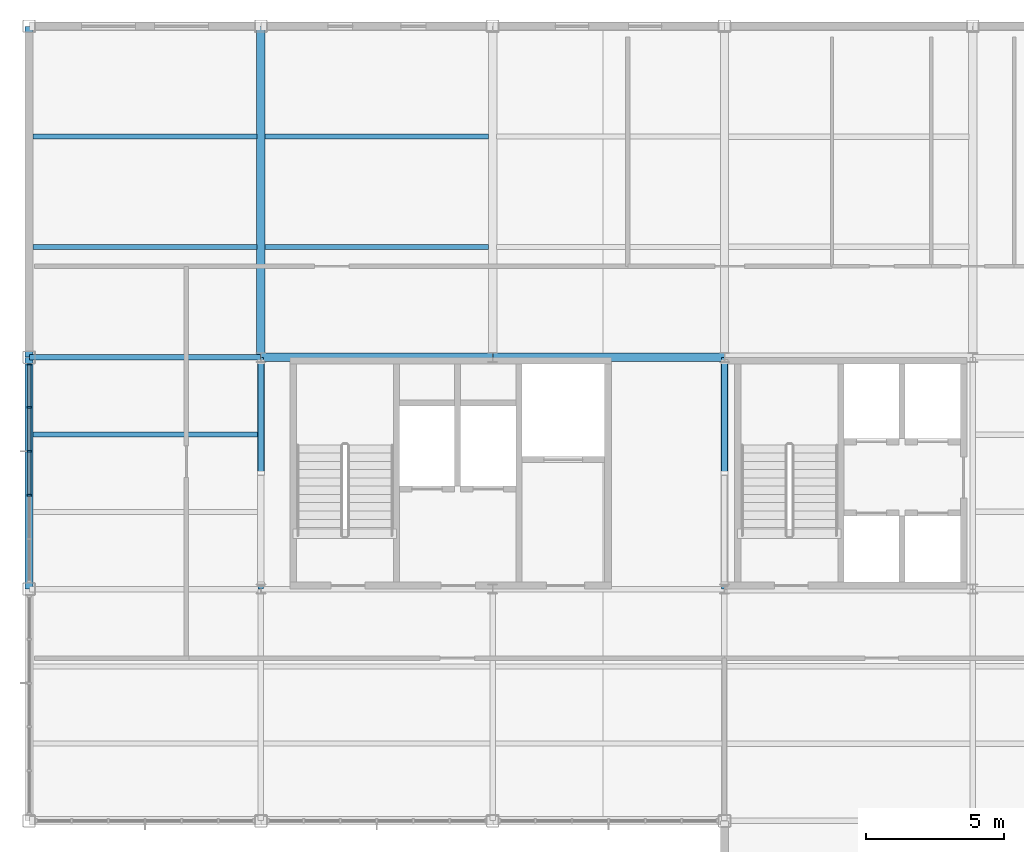
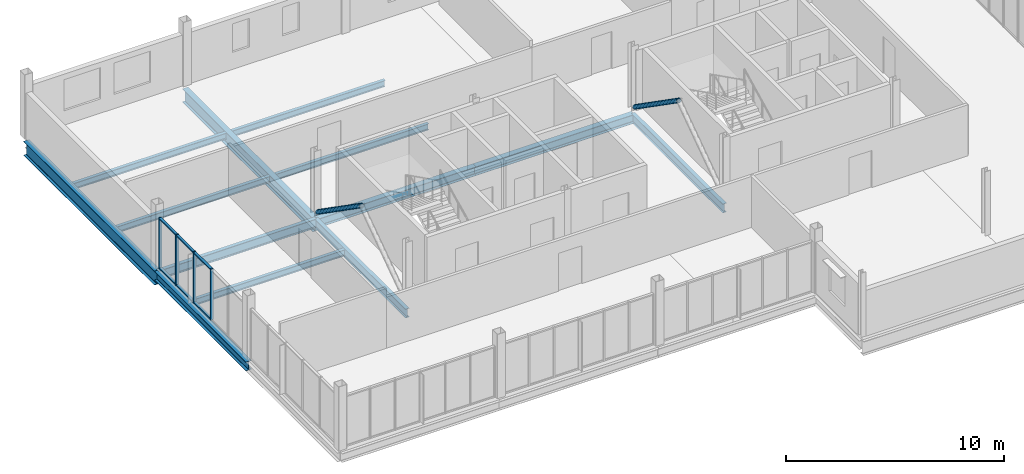
# One storey, part 6 of 16: 13 beams, 12 members, 1 element without a shape of its own.
"""IFC4 building model written with IfcOpenShell, lengths in metres."""

from ifc_helpers import new_model, si_unit, direction, frame, origin, origin_2d, place, context, subcontext, project, spatial, rectangle, hollow_circle, i_section, extrude, material, layer, layer_set, material_profile, profile_set, type_object, element, aggregate, save


model = new_model("IFC4")

# Units and contexts
model_context = context("Model", 3, precision=1e-05, world=origin(), true_north=direction((0.0, 1.0)))
body_context = subcontext(model_context, "Body", "Model", "MODEL_VIEW")
ifc_project = project(units=[si_unit("LENGTHUNIT", "METRE"), si_unit("AREAUNIT", "SQUARE_METRE"), si_unit("VOLUMEUNIT", "CUBIC_METRE"), si_unit("PLANEANGLEUNIT", "RADIAN"), si_unit("MASSUNIT", "GRAM", prefix="KILO")], contexts=[model_context])

# Site, building, storey
site_placement = place(None, origin())
site = spatial("IfcSite", under=ifc_project, at=site_placement, CompositionType="ELEMENT")
building_placement = place(site_placement, origin())
building = spatial("IfcBuilding", under=site, at=building_placement, Name="Yukiwa Park Conservatory and Herbarium", CompositionType="ELEMENT")
storey_placement = place(building_placement, frame((0.0, 0.0, 43.199951171875)))
storey = spatial("IfcBuildingStorey", under=building, at=storey_placement, Name="L11", CompositionType="ELEMENT", Elevation=43.199951171875)

# Beams
ifc_material_1 = material(Name="Steel Q355D", Category="steel")
ifc_material_profile_1 = material_profile(ifc_material_1, i_section(OverallWidth=0.199951171875, OverallDepth=0.5, WebThickness=0.010009765625, FlangeThickness=0.01611328125, FilletRadius=0.02001953125, at=origin_2d()), Name="HN 500x200x10x16")
ifc_profile_set_1 = profile_set([ifc_material_profile_1], Name="Steel Q355D")
beam_type_1 = type_object("IfcBeamType", Name="BM-GRD-HN500", PredefinedType="BEAM", material=ifc_profile_set_1)
for number, where, z_axis, x_axis, name in (
    (1, (124.805908203125, 103.199951171875, -0.508056640625), (1.0, 0.0, 0.0), (0.0, 1.0, 0.0), "L11 grid beam X-13"),
    (2, (133.199951171875, 94.805908203125, -0.508056640625), (0.0, 1.0, 0.0), (-1.0, 0.0, 0.0), "L11 grid girder Y-27"),
    (3, (150.0, 94.805908203125, -0.508056640625), (0.0, 1.0, 0.0), (-1.0, 0.0, 0.0), "L11 grid girder Y-33"),
):
    element("IfcBeam", number, at=place(storey_placement, frame(where, z_axis=z_axis, x_axis=x_axis)), inside=storey, type_object=beam_type_1, Name=name, PredefinedType="BEAM", context=body_context, shape_type="SweptSolid", body=[
        extrude(i_section(OverallWidth=0.199951171875, OverallDepth=0.5, WebThickness=0.010009765625, FlangeThickness=0.01611328125, FilletRadius=0.02001953125, at=origin_2d()), origin(), (0.0, 0.0, 1.0), 8.38818359375),
    ])
ifc_material_2 = material(Name="Steel Q355D", Category="steel")
ifc_material_profile_2 = material_profile(ifc_material_2, i_section(OverallWidth=0.300048828125, OverallDepth=0.75, WebThickness=0.012939453125, FlangeThickness=0.02392578125, FilletRadius=0.028076171875, at=origin_2d()), Name="HN 750x300x13x24")
ifc_profile_set_2 = profile_set([ifc_material_profile_2], Name="Steel Q355D")
beam_type_2 = type_object("IfcBeamType", Name="BM-GRD-HN750", PredefinedType="BEAM", material=ifc_profile_set_2)
beam_1_placement = place(storey_placement, frame((133.199951171875, 103.2060546875, -0.633056640625), z_axis=(0.0, 1.0, 0.0), x_axis=(-1.0, 0.0, 0.0)))
element("IfcBeam", 4, at=beam_1_placement, inside=storey, type_object=beam_type_2, Name="L11 grid girder Y-28", PredefinedType="BEAM", context=body_context, shape_type="SweptSolid", body=[
    extrude(i_section(OverallWidth=0.300048828125, OverallDepth=0.75, WebThickness=0.012939453125, FlangeThickness=0.02392578125, FilletRadius=0.028076171875, at=origin_2d()), origin(), (0.0, 0.0, 1.0), 11.988037109375),
])
ifc_material_3 = material(Name="Steel Q355D", Category="steel")
ifc_material_profile_3 = material_profile(ifc_material_3, i_section(OverallWidth=0.175048828125, OverallDepth=0.35009765625, WebThickness=0.007080078125, FlangeThickness=0.010986328125, FilletRadius=0.013916015625, at=origin_2d()), Name="HN 350x175x7x11")
ifc_profile_set_3 = profile_set([ifc_material_profile_3], Name="Steel Q355D")
beam_type_3 = type_object("IfcBeamType", Name="BM-JST-HN350", PredefinedType="JOIST", material=ifc_profile_set_3)
beam_2_placement = place(storey_placement, frame((124.946044921875, 100.39990234375, -0.432861328125), z_axis=(1.0, 0.0, 0.0), x_axis=(0.0, 1.0, 0.0)))
element("IfcBeam", 5, at=beam_2_placement, inside=storey, type_object=beam_type_3, Name="L11 composite floor joist 4", PredefinedType="JOIST", context=body_context, shape_type="SweptSolid", body=[
    extrude(i_section(OverallWidth=0.175048828125, OverallDepth=0.35009765625, WebThickness=0.007080078125, FlangeThickness=0.010986328125, FilletRadius=0.013916015625, at=origin_2d()), origin(), (0.0, 0.0, 1.0), 8.157958984375),
])
for number, where, z_axis, x_axis, name in (
    (6, (124.946044921875, 107.199951171875, -0.432861328125), (1.0, 0.0, 0.0), (0.0, 1.0, 0.0), "L11 composite floor joist 5"),
    (7, (124.946044921875, 111.199951171875, -0.432861328125), (1.0, 0.0, 0.0), (0.0, 1.0, 0.0), "L11 composite floor joist 6"),
):
    element("IfcBeam", number, at=place(storey_placement, frame(where, z_axis=z_axis, x_axis=x_axis)), inside=storey, type_object=beam_type_3, Name=name, PredefinedType="JOIST", context=body_context, shape_type="SweptSolid", body=[
        extrude(i_section(OverallWidth=0.175048828125, OverallDepth=0.35009765625, WebThickness=0.007080078125, FlangeThickness=0.010986328125, FilletRadius=0.013916015625, at=origin_2d()), origin(), (0.0, 0.0, 1.0), 8.10791015625),
    ])
for number, where, z_axis, x_axis, name in (
    (8, (133.345947265625, 107.199951171875, -0.432861328125), (1.0, 0.0, 0.0), (0.0, 1.0, 0.0), "L11 composite floor joist 9"),
    (9, (133.345947265625, 111.199951171875, -0.432861328125), (1.0, 0.0, 0.0), (0.0, 1.0, 0.0), "L11 composite floor joist 10"),
):
    element("IfcBeam", number, at=place(storey_placement, frame(where, z_axis=z_axis, x_axis=x_axis)), inside=storey, type_object=beam_type_3, Name=name, PredefinedType="JOIST", context=body_context, shape_type="SweptSolid", body=[
        extrude(i_section(OverallWidth=0.175048828125, OverallDepth=0.35009765625, WebThickness=0.007080078125, FlangeThickness=0.010986328125, FilletRadius=0.013916015625, at=origin_2d()), origin(), (0.0, 0.0, 1.0), 8.108154296875),
    ])
ifc_material_4 = material(Name="Steel Q355D", Category="steel")
ifc_material_profile_4 = material_profile(ifc_material_4, i_section(OverallWidth=0.300048828125, OverallDepth=0.5, WebThickness=0.010986328125, FlangeThickness=0.01806640625, FilletRadius=0.02392578125, at=origin_2d()), Name="HM 500x300x11x18")
ifc_profile_set_4 = profile_set([ifc_material_profile_4], Name="Steel Q355D")
beam_type_4 = type_object("IfcBeamType", Name="BM-SPN-HN500", PredefinedType="SPANDREL", material=ifc_profile_set_4)
for number, where, z_axis, x_axis, name in (
    (10, (133.2060546875, 103.199951171875, -0.508056640625), (1.0, 0.0, 0.0), (0.0, 1.0, 0.0), "L11 spandrel beam X-14"),
    (11, (141.60595703125, 103.199951171875, -0.508056640625), (1.0, 0.0, 0.0), (0.0, 1.0, 0.0), "L11 spandrel beam X-15"),
):
    element("IfcBeam", number, at=place(storey_placement, frame(where, z_axis=z_axis, x_axis=x_axis)), inside=storey, type_object=beam_type_4, Name=name, PredefinedType="SPANDREL", context=body_context, shape_type="SweptSolid", body=[
        extrude(i_section(OverallWidth=0.300048828125, OverallDepth=0.5, WebThickness=0.010986328125, FlangeThickness=0.01806640625, FilletRadius=0.02392578125, at=origin_2d()), origin(), (0.0, 0.0, 1.0), 8.387939453125),
    ])
beam_3_placement = place(storey_placement, frame((124.800048828125, 94.805908203125, -0.508056640625), z_axis=(0.0, 1.0, 0.0), x_axis=(-1.0, 0.0, 0.0)))
element("IfcBeam", 12, at=beam_3_placement, inside=storey, type_object=beam_type_4, Name="L11 spandrel girder Y-24", PredefinedType="SPANDREL", context=body_context, shape_type="SweptSolid", body=[
    extrude(i_section(OverallWidth=0.300048828125, OverallDepth=0.5, WebThickness=0.010986328125, FlangeThickness=0.01806640625, FilletRadius=0.02392578125, at=origin_2d()), origin(), (0.0, 0.0, 1.0), 8.38818359375),
])
ifc_material_5 = material(Name="Steel Q355D", Category="steel")
ifc_material_profile_5 = material_profile(ifc_material_5, i_section(OverallWidth=0.300048828125, OverallDepth=0.7919921875, WebThickness=0.013916015625, FlangeThickness=0.02197265625, FilletRadius=0.028076171875, at=origin_2d()), Name="HN 792x300x14x22")
ifc_profile_set_5 = profile_set([ifc_material_profile_5], Name="Steel Q355D")
beam_type_5 = type_object("IfcBeamType", Name="BM-SPN-HN600", PredefinedType="SPANDREL", material=ifc_profile_set_5)
beam_4_placement = place(storey_placement, frame((124.800048828125, 103.2060546875, -0.654052734375), z_axis=(0.0, 1.0, 0.0), x_axis=(-1.0, 0.0, 0.0)))
element("IfcBeam", 13, at=beam_4_placement, inside=storey, type_object=beam_type_5, Name="L11 spandrel girder Y-25", PredefinedType="SPANDREL", context=body_context, shape_type="SweptSolid", body=[
    extrude(i_section(OverallWidth=0.300048828125, OverallDepth=0.7919921875, WebThickness=0.013916015625, FlangeThickness=0.02197265625, FilletRadius=0.028076171875, at=origin_2d()), origin(), (0.0, 0.0, 1.0), 11.988037109375),
])

# Members
ifc_material_6 = material(Name="Steel Q355D", Category="steel")
ifc_material_profile_6 = material_profile(ifc_material_6, hollow_circle(Radius=0.122314453125, WallThickness=0.010009765625, at=origin_2d()), Name="CHS 244.5x10")
ifc_profile_set_6 = profile_set([ifc_material_profile_6], Name="Steel Q355D")
member_type_1 = type_object("IfcMemberType", Name="MB-BR-CHS245", PredefinedType="BRACE", material=ifc_profile_set_6)
for number, where, z_axis, x_axis, name in (
    (14, (133.199951171875, 103.029541015625, 0.168701171875), (0.0, -0.820222935008, 0.572043999083), (1.0, 0.0, 0.0), "L11 concentric chevron brace 58"),
    (15, (150.0, 103.029541015625, 0.168701171875), (0.0, -0.820222935008, 0.572043999083), (1.0, 0.0, 0.0), "L11 concentric chevron brace 60"),
):
    element("IfcMember", number, at=place(storey_placement, frame(where, z_axis=z_axis, x_axis=x_axis)), inside=storey, type_object=member_type_1, Name=name, PredefinedType="BRACE", context=body_context, shape_type="SweptSolid", body=[
        extrude(hollow_circle(Radius=0.122314453125, WallThickness=0.010009765625, at=origin_2d()), origin(), (0.0, 0.0, 1.0), 4.912841796875),
    ])

# Curtain wall, members
ifc_material_7 = material(Name="Triple Low-E Insulated Glass", Category="glass")
ifc_layer = layer(ifc_material_7, 0.260009765625)
ifc_layer_set = layer_set([ifc_layer], Name="Triple Low-E Insulated Glass")
curtain_wall_type = type_object("IfcCurtainWallType", Name="CW-TOWER-LAB-W-1500", PredefinedType="NOTDEFINED", material=ifc_layer_set)
curtain_wall_placement = place(storey_placement, origin())
curtain_wall = element("IfcCurtainWall", 16, at=curtain_wall_placement, inside=storey, type_object=curtain_wall_type, Name="L11 unitised curtain wall CW-L11-114", PredefinedType="NOTDEFINED")
ifc_material_8 = material(Name="Anodised Aluminium", Category="aluminium")
member_type_2 = type_object("IfcMemberType", Name="MB-CW-MUL-70X150", PredefinedType="MULLION", material=ifc_material_8)
member_1_placement = place(storey_placement, frame((124.800048828125, 102.93994140625, 0.0), z_axis=(0.0, 0.0, 1.0), x_axis=(0.0, -1.0, 0.0)))
member_1 = element("IfcMember", 17, at=member_1_placement, type_object=member_type_2, Name="CW-L11-114 mullion 1", PredefinedType="MULLION", context=body_context, shape_type="SweptSolid", body=[
    extrude(rectangle(XDim=0.070068359375, YDim=0.14990234375, at=origin_2d()), origin(), (0.0, 0.0, 1.0), 2.85400390625),
])
member_2_placement = place(storey_placement, frame((124.800048828125, 101.385009765625, 0.0), z_axis=(0.0, 0.0, 1.0), x_axis=(0.0, -1.0, 0.0)))
member_2 = element("IfcMember", 18, at=member_2_placement, type_object=member_type_2, Name="CW-L11-114 mullion 2", PredefinedType="MULLION", context=body_context, shape_type="SweptSolid", body=[
    extrude(rectangle(XDim=0.070068359375, YDim=0.14990234375, at=origin_2d()), origin(), (0.0, 0.0, 1.0), 2.85400390625),
])
member_3_placement = place(storey_placement, frame((124.800048828125, 99.794921875, 0.0), z_axis=(0.0, 0.0, 1.0), x_axis=(0.0, -1.0, 0.0)))
member_3 = element("IfcMember", 19, at=member_3_placement, type_object=member_type_2, Name="CW-L11-114 mullion 3", PredefinedType="MULLION", context=body_context, shape_type="SweptSolid", body=[
    extrude(rectangle(XDim=0.070068359375, YDim=0.14990234375, at=origin_2d()), origin(), (0.0, 0.0, 1.0), 2.85400390625),
])
member_4_placement = place(storey_placement, frame((124.800048828125, 98.205078125, 0.0), z_axis=(0.0, 0.0, 1.0), x_axis=(0.0, -1.0, 0.0)))
member_4 = element("IfcMember", 20, at=member_4_placement, type_object=member_type_2, Name="CW-L11-114 mullion 4", PredefinedType="MULLION", context=body_context, shape_type="SweptSolid", body=[
    extrude(rectangle(XDim=0.070068359375, YDim=0.14990234375, at=origin_2d()), origin(), (0.0, 0.0, 1.0), 2.85400390625),
])
ifc_material_9 = material(Name="Anodised Aluminium", Category="aluminium")
member_type_3 = type_object("IfcMemberType", Name="MB-CW-TRN-70X130", PredefinedType="USERDEFINED", material=ifc_material_9)
member_5_placement = place(storey_placement, frame((124.800048828125, 102.179931640625, 0.0), z_axis=(0.0, 0.0, 1.0), x_axis=(0.0, -1.0, 0.0)))
member_5 = element("IfcMember", 21, at=member_5_placement, type_object=member_type_3, Name="CW-L11-114 transom 1.1", ObjectType="TRANSOM", PredefinedType="USERDEFINED", context=body_context, shape_type="SweptSolid", body=[
    extrude(rectangle(XDim=1.52001953125, YDim=0.1298828125, at=origin_2d()), origin(), (0.0, 0.0, 1.0), 0.070068359375),
])
member_6_placement = place(storey_placement, frame((124.800048828125, 102.179931640625, 2.7841796875), z_axis=(0.0, 0.0, 1.0), x_axis=(0.0, -1.0, 0.0)))
member_6 = element("IfcMember", 22, at=member_6_placement, type_object=member_type_3, Name="CW-L11-114 transom 1.2", ObjectType="TRANSOM", PredefinedType="USERDEFINED", context=body_context, shape_type="SweptSolid", body=[
    extrude(rectangle(XDim=1.52001953125, YDim=0.1298828125, at=origin_2d()), origin(), (0.0, 0.0, 1.0), 0.070068359375),
])
member_7_placement = place(storey_placement, frame((124.800048828125, 100.590087890625, 0.0), z_axis=(0.0, 0.0, 1.0), x_axis=(0.0, -1.0, 0.0)))
member_7 = element("IfcMember", 23, at=member_7_placement, type_object=member_type_3, Name="CW-L11-114 transom 2.1", ObjectType="TRANSOM", PredefinedType="USERDEFINED", context=body_context, shape_type="SweptSolid", body=[
    extrude(rectangle(XDim=1.52001953125, YDim=0.1298828125, at=origin_2d()), origin(), (0.0, 0.0, 1.0), 0.070068359375),
])
member_8_placement = place(storey_placement, frame((124.800048828125, 100.590087890625, 2.7841796875), z_axis=(0.0, 0.0, 1.0), x_axis=(0.0, -1.0, 0.0)))
member_8 = element("IfcMember", 24, at=member_8_placement, type_object=member_type_3, Name="CW-L11-114 transom 2.2", ObjectType="TRANSOM", PredefinedType="USERDEFINED", context=body_context, shape_type="SweptSolid", body=[
    extrude(rectangle(XDim=1.52001953125, YDim=0.1298828125, at=origin_2d()), origin(), (0.0, 0.0, 1.0), 0.070068359375),
])
member_9_placement = place(storey_placement, frame((124.800048828125, 99.0, 0.0), z_axis=(0.0, 0.0, 1.0), x_axis=(0.0, -1.0, 0.0)))
member_9 = element("IfcMember", 25, at=member_9_placement, type_object=member_type_3, Name="CW-L11-114 transom 3.1", ObjectType="TRANSOM", PredefinedType="USERDEFINED", context=body_context, shape_type="SweptSolid", body=[
    extrude(rectangle(XDim=1.52001953125, YDim=0.1298828125, at=origin_2d()), origin(), (0.0, 0.0, 1.0), 0.070068359375),
])
member_10_placement = place(storey_placement, frame((124.800048828125, 99.0, 2.7841796875), z_axis=(0.0, 0.0, 1.0), x_axis=(0.0, -1.0, 0.0)))
member_10 = element("IfcMember", 26, at=member_10_placement, type_object=member_type_3, Name="CW-L11-114 transom 3.2", ObjectType="TRANSOM", PredefinedType="USERDEFINED", context=body_context, shape_type="SweptSolid", body=[
    extrude(rectangle(XDim=1.52001953125, YDim=0.1298828125, at=origin_2d()), origin(), (0.0, 0.0, 1.0), 0.070068359375),
])
aggregate(curtain_wall, [member_1, member_2, member_3, member_4, member_5, member_6, member_7, member_8, member_9, member_10])

save(model, "model.ifc")
